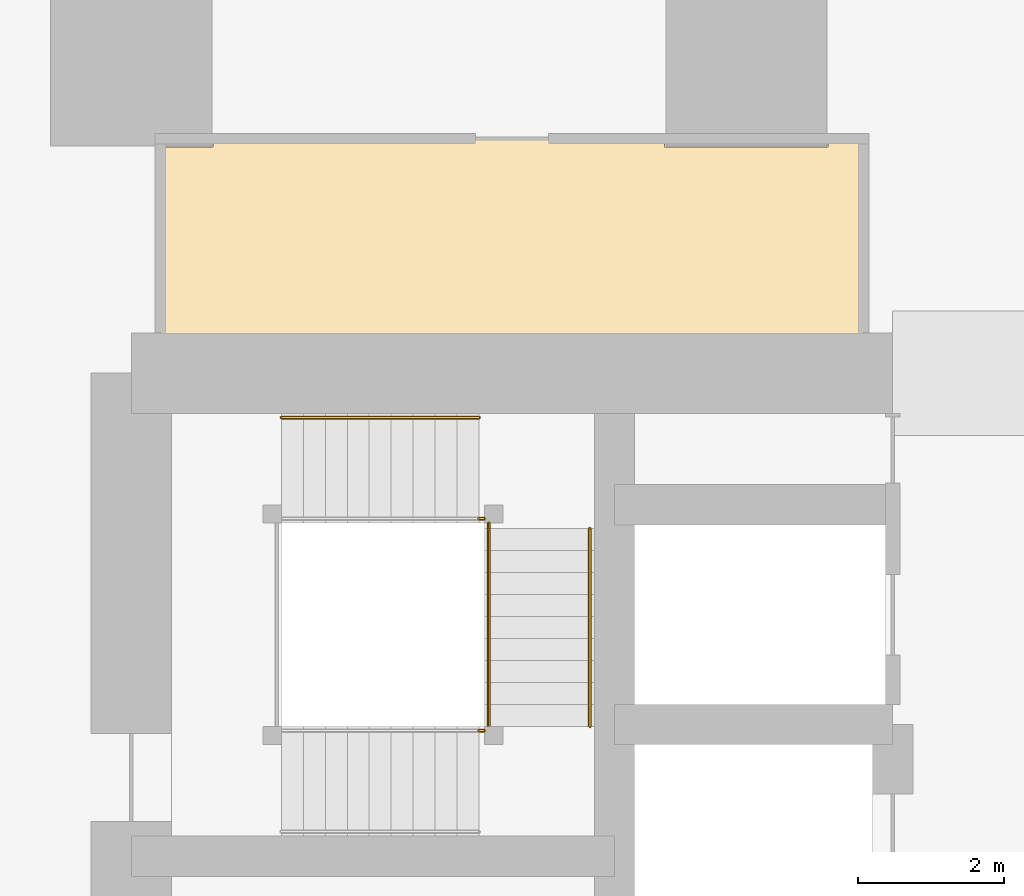
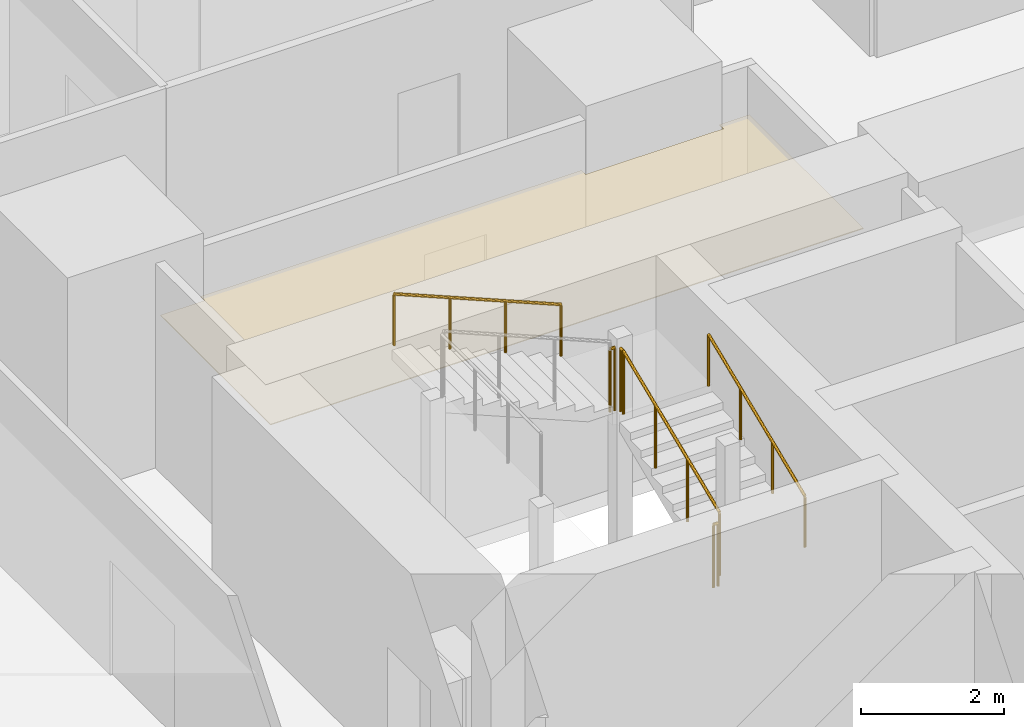
# One storey, part 41 of 44: 6 railings, 1 covering.
"""IFC4 building model written with IfcOpenShell, lengths in metres."""

from ifc_helpers import new_model, si_unit, direction, frame, origin, origin_2d, place, context, subcontext, project, spatial, polyline, circle, outline, extrude, material, layer, layer_set, type_object, element, save


model = new_model("IFC4")

# Units and contexts
model_context = context("Model", 3, precision=1e-05, world=origin(), true_north=direction((0.0, 1.0)))
body_context = subcontext(model_context, "Body", "Model", "MODEL_VIEW")
ifc_project = project(units=[si_unit("LENGTHUNIT", "METRE"), si_unit("AREAUNIT", "SQUARE_METRE"), si_unit("VOLUMEUNIT", "CUBIC_METRE"), si_unit("PLANEANGLEUNIT", "RADIAN"), si_unit("MASSUNIT", "GRAM", prefix="KILO")], contexts=[model_context])

# Site, building, storey
site_placement = place(None, origin())
site = spatial("IfcSite", under=ifc_project, at=site_placement, CompositionType="ELEMENT")
building_placement = place(site_placement, origin())
building = spatial("IfcBuilding", under=site, at=building_placement, Name="Rekha Terrace Tower", CompositionType="ELEMENT")
storey_placement = place(building_placement, frame((0.0, 0.0, 51.64990234375)))
storey = spatial("IfcBuildingStorey", under=building, at=storey_placement, Name="L12", CompositionType="ELEMENT", Elevation=51.64990234375)

# Covering
ifc_material_1 = material(Name="Fibre cement board", Category="finish")
ifc_layer = layer(ifc_material_1, 0.014892578125)
ifc_layer_set = layer_set([ifc_layer], Name="Fibre cement board")
covering_type = type_object("IfcCoveringType", Name="CL2 moisture-resistant board ceiling", PredefinedType="CEILING", material=ifc_layer_set)
covering_placement = place(storey_placement, frame((0.0, 0.0, 2.585205078125)))
element("IfcCovering", 1, at=covering_placement, inside=storey, type_object=covering_type, Name="Ceiling L12-WCF2", PredefinedType="CEILING", context=body_context, shape_type="SweptSolid", body=[
    extrude(outline(polyline([(26.31494140625, 49.284912109375), (25.60009765625, 49.284912109375), (25.60009765625, 46.199951171875), (35.199951171875, 46.199951171875), (35.199951171875, 49.39990234375), (34.715087890625, 49.39990234375), (34.715087890625, 49.284912109375), (32.485107421875, 49.284912109375), (32.485107421875, 49.39990234375), (26.31494140625, 49.39990234375), (26.31494140625, 49.284912109375)])), origin(), (0.0, 0.0, 1.0), 0.014892578125),
])

# Railings
ifc_material_2 = material(Name="Stainless steel balustrade", Category="steel")
railing_type_1 = type_object("IfcRailingType", Name="GR1 1100 stair guard", PredefinedType="GUARDRAIL", material=ifc_material_2)
railing_1_placement = place(storey_placement, frame((30.0849609375, 41.375, 1.375)))
element("IfcRailing", 2, at=railing_1_placement, inside=storey, type_object=railing_type_1, Name="Guard ST4 L12 flight 2", PredefinedType="GUARDRAIL", context=body_context, shape_type="SweptSolid", body=[
    extrude(circle(Radius=0.02392578125, at=origin_2d()), frame((0.0, 0.0, 1.076171875), z_axis=(0.0, 0.923074453586, 0.384621311341), x_axis=(-1.0, 0.0, 0.0)), (0.0, 0.0, 1.0), 2.925048828125),
    extrude(circle(Radius=0.02099609375, at=origin_2d()), origin(), (0.0, 0.0, 1.0), 1.052001953125),
    extrude(circle(Radius=0.02099609375, at=origin_2d()), frame((0.0, 0.89990234375, 0.375)), (0.0, 0.0, 1.0), 1.052001953125),
    extrude(circle(Radius=0.02099609375, at=origin_2d()), frame((0.0, 1.800048828125, 0.75)), (0.0, 0.0, 1.0), 1.052001953125),
    extrude(circle(Radius=0.02099609375, at=origin_2d()), frame((0.0, 2.699951171875, 1.125)), (0.0, 0.0, 1.0), 1.052001953125),
])
railing_2_placement = place(storey_placement, frame((29.949951171875, 41.31494140625, 1.25)))
element("IfcRailing", 3, at=railing_2_placement, inside=storey, type_object=railing_type_1, Name="Guard ST4 L12 landing 1", PredefinedType="GUARDRAIL", context=body_context, shape_type="SweptSolid", body=[
    extrude(circle(Radius=0.02392578125, at=origin_2d()), frame((0.0, 0.0, 1.076171875), z_axis=(1.0, 0.0, 0.0), x_axis=(0.0, 1.0, 0.0)), (0.0, 0.0, 1.0), 0.074951171875),
    extrude(circle(Radius=0.02099609375, at=origin_2d()), origin(), (0.0, 0.0, 1.0), 1.052001953125),
    extrude(circle(Radius=0.02099609375, at=origin_2d()), frame((0.074951171875, 0.0, 0.0)), (0.0, 0.0, 1.0), 1.052001953125),
])
railing_3_placement = place(storey_placement, frame((30.0849609375, 44.074951171875, 2.5)))
element("IfcRailing", 4, at=railing_3_placement, inside=storey, type_object=railing_type_1, Name="Guard ST4 L12 landing 2", PredefinedType="GUARDRAIL", context=body_context, shape_type="SweptSolid", body=[
    extrude(circle(Radius=0.02392578125, at=origin_2d()), frame((0.0, 0.0, 1.076171875), z_axis=(0.0, 1.0, 0.0), x_axis=(-1.0, 0.0, 0.0)), (0.0, 0.0, 1.0), 0.074951171875),
    extrude(circle(Radius=0.02099609375, at=origin_2d()), origin(), (0.0, 0.0, 1.0), 1.052001953125),
    extrude(circle(Radius=0.02099609375, at=origin_2d()), frame((0.0, 0.074951171875, 0.0)), (0.0, 0.0, 1.0), 1.052001953125),
])
railing_4_placement = place(storey_placement, frame((29.949951171875, 44.2099609375, 2.5)))
element("IfcRailing", 5, at=railing_4_placement, inside=storey, type_object=railing_type_1, Name="Guard ST4 L12 landing 3", PredefinedType="GUARDRAIL", context=body_context, shape_type="SweptSolid", body=[
    extrude(circle(Radius=0.02392578125, at=origin_2d()), frame((0.0, 0.0, 1.076171875), z_axis=(1.0, 0.0, 0.0), x_axis=(0.0, 1.0, 0.0)), (0.0, 0.0, 1.0), 0.074951171875),
    extrude(circle(Radius=0.02099609375, at=origin_2d()), origin(), (0.0, 0.0, 1.0), 1.052001953125),
    extrude(circle(Radius=0.02099609375, at=origin_2d()), frame((0.074951171875, 0.0, 0.0)), (0.0, 0.0, 1.0), 1.052001953125),
])
ifc_material_3 = material(Name="Stainless steel tube", Category="steel")
railing_type_2 = type_object("IfcRailingType", Name="HR1 900 stair handrail", PredefinedType="HANDRAIL", material=ifc_material_3)
railing_5_placement = place(storey_placement, frame((31.465087890625, 41.375, 1.375)))
element("IfcRailing", 6, at=railing_5_placement, inside=storey, type_object=railing_type_2, Name="Handrail ST4 L12 flight 2", PredefinedType="HANDRAIL", context=body_context, shape_type="SweptSolid", body=[
    extrude(circle(Radius=0.02392578125, at=origin_2d()), frame((0.0, 0.0, 0.8759765625), z_axis=(0.0, 0.923074453586, 0.384621311341), x_axis=(-1.0, 0.0, 0.0)), (0.0, 0.0, 1.0), 2.925048828125),
    extrude(circle(Radius=0.02099609375, at=origin_2d()), origin(), (0.0, 0.0, 1.0), 0.851806640625),
    extrude(circle(Radius=0.02099609375, at=origin_2d()), frame((0.0, 0.89990234375, 0.375)), (0.0, 0.0, 1.0), 0.851806640625),
    extrude(circle(Radius=0.02099609375, at=origin_2d()), frame((0.0, 1.800048828125, 0.75)), (0.0, 0.0, 1.0), 0.851806640625),
    extrude(circle(Radius=0.02099609375, at=origin_2d()), frame((0.0, 2.699951171875, 1.125)), (0.0, 0.0, 1.0), 0.851806640625),
])
railing_6_placement = place(storey_placement, frame((29.949951171875, 45.590087890625, 2.625)))
element("IfcRailing", 7, at=railing_6_placement, inside=storey, type_object=railing_type_2, Name="Handrail ST4 L12 flight 3", PredefinedType="HANDRAIL", context=body_context, shape_type="SweptSolid", body=[
    extrude(circle(Radius=0.02392578125, at=origin_2d()), frame((0.0, 0.0, 0.8759765625), z_axis=(-0.923074453586, 0.0, 0.384621311341), x_axis=(0.0, -1.0, 0.0)), (0.0, 0.0, 1.0), 2.925048828125),
    extrude(circle(Radius=0.02099609375, at=origin_2d()), origin(), (0.0, 0.0, 1.0), 0.851806640625),
    extrude(circle(Radius=0.02099609375, at=origin_2d()), frame((-0.89990234375, 0.0, 0.375)), (0.0, 0.0, 1.0), 0.851806640625),
    extrude(circle(Radius=0.02099609375, at=origin_2d()), frame((-1.800048828125, 0.0, 0.75)), (0.0, 0.0, 1.0), 0.851806640625),
    extrude(circle(Radius=0.02099609375, at=origin_2d()), frame((-2.699951171875, 0.0, 1.125)), (0.0, 0.0, 1.0), 0.851806640625),
])

save(model, "model.ifc")
